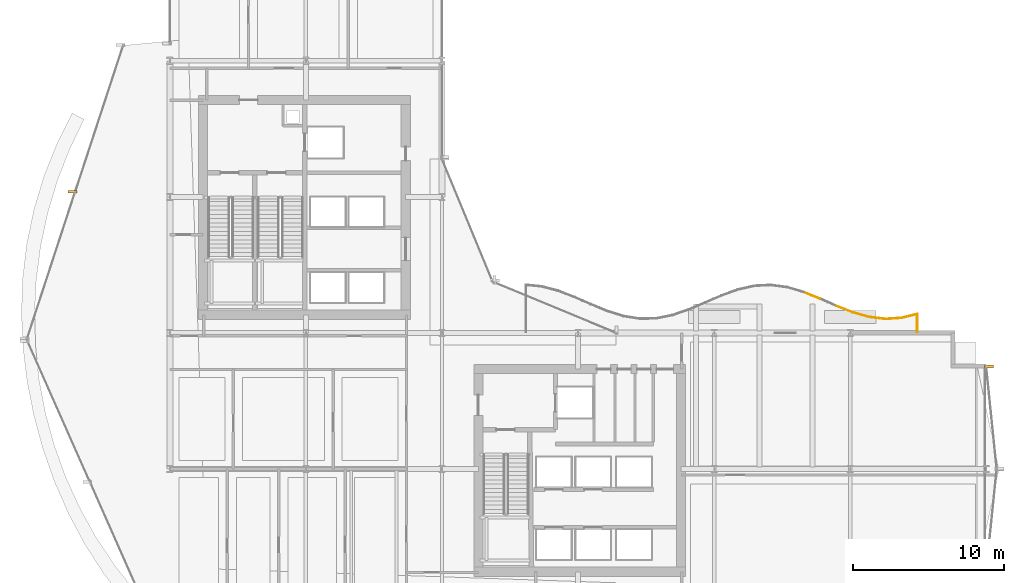
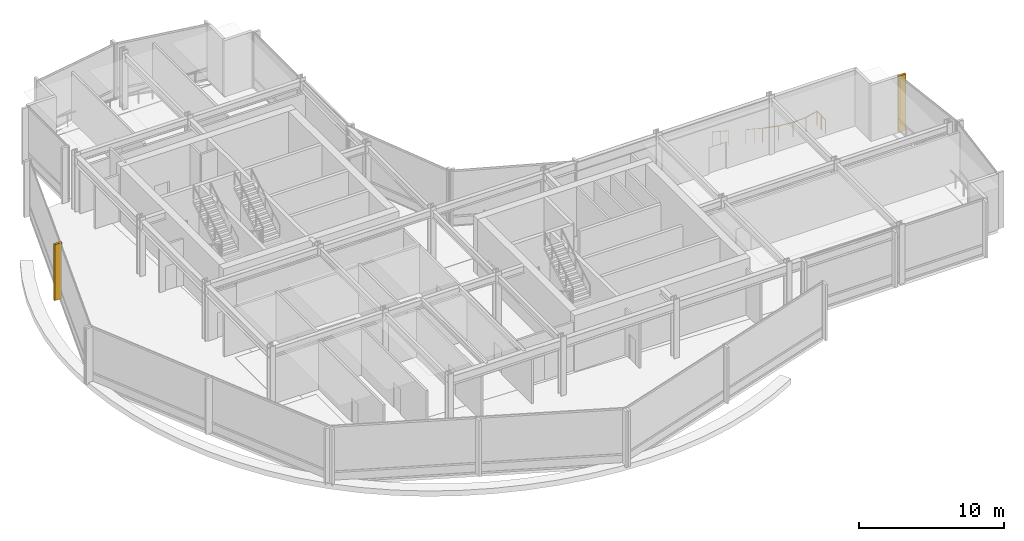
# One storey, part 36 of 39: 7 railings, 2 coverings.
"""IFC4 building model written with IfcOpenShell, lengths in metres."""

from ifc_helpers import new_model, si_unit, direction, frame, origin, origin_2d, place, context, subcontext, project, spatial, rectangle, circle, extrude, material, layer, layer_set, type_object, element, save


model = new_model("IFC4")

# Units and contexts
model_context = context("Model", 3, precision=1e-05, world=origin(), true_north=direction((0.0, 1.0)))
body_context = subcontext(model_context, "Body", "Model", "MODEL_VIEW")
ifc_project = project(units=[si_unit("LENGTHUNIT", "METRE"), si_unit("AREAUNIT", "SQUARE_METRE"), si_unit("VOLUMEUNIT", "CUBIC_METRE"), si_unit("PLANEANGLEUNIT", "RADIAN"), si_unit("MASSUNIT", "GRAM", prefix="KILO")], contexts=[model_context])

# Site, building, storey
site_placement = place(None, origin())
site = spatial("IfcSite", under=ifc_project, at=site_placement, CompositionType="ELEMENT")
building_placement = place(site_placement, origin())
building = spatial("IfcBuilding", under=site, at=building_placement, Name="Solvaryn Broadcast Tower", CompositionType="ELEMENT")
storey_placement = place(building_placement, frame((0.0, 0.0, 84.10009765625)))
storey = spatial("IfcBuildingStorey", under=building, at=storey_placement, Name="L20", CompositionType="ELEMENT", Elevation=84.10009765625)

# Coverings
ifc_material_1 = material(Name="Extruded Architectural Terracotta Fin", Category="masonry")
ifc_layer = layer(ifc_material_1, 0.179931640625)
ifc_layer_set = layer_set([ifc_layer], Name="CV-TC-FIN")
covering_type = type_object("IfcCoveringType", Name="CV-TC-FIN", PredefinedType="USERDEFINED", material=ifc_layer_set)
for number, where, z_axis, x_axis, name in (
    (1, (2.554931640625, 36.34423828125, 0.0), (0.0, 0.0, 1.0), (1.0, 0.0, 0.0), "L20 Terracotta Vertical Fin FIN-L20-DR1-M01"),
    (2, (63.190673828125, 24.770263671875, 0.0), (0.0, 0.0, 1.0), (1.0, 0.0, 0.0), "L20 Terracotta Vertical Fin FIN-L20-ET1-M00"),
):
    element("IfcCovering", number, at=place(storey_placement, frame(where, z_axis=z_axis, x_axis=x_axis)), inside=storey, type_object=covering_type, Name=name, ObjectType="FIN", PredefinedType="USERDEFINED", context=body_context, shape_type="SweptSolid", body=[
        extrude(rectangle(XDim=0.580078125, YDim=0.179931640625, at=origin_2d()), origin(), (0.0, 0.0, 1.0), 4.719970703125),
    ])

# Railings
ifc_material_2 = material(Name="Stainless Steel and Laminated Glass Guard", Category="steel")
railing_type = type_object("IfcRailingType", Name="RL-SKYG-1200", PredefinedType="BALUSTRADE", material=ifc_material_2)
railing_1_placement = place(storey_placement, frame((50.916748046875, 29.6953125, 0.0)))
element("IfcRailing", 3, at=railing_1_placement, inside=storey, type_object=railing_type, Name="L20 Terrace Guard TSSG1-19", PredefinedType="BALUSTRADE", context=body_context, shape_type="SweptSolid", body=[
    extrude(circle(Radius=0.02392578125, at=origin_2d()), frame((0.0, 0.0, 1.17578125), z_axis=(0.927739444887, -0.373228512311, 0.0), x_axis=(0.373228512311, 0.927739444887, 0.0)), (0.0, 0.0, 1.0), 1.167724609375),
    extrude(circle(Radius=0.02099609375, at=origin_2d()), origin(), (0.0, 0.0, 1.0), 1.15185546875),
    extrude(circle(Radius=0.02099609375, at=origin_2d()), frame((0.54150390625, -0.2177734375, 0.0)), (0.0, 0.0, 1.0), 1.15185546875),
    extrude(circle(Radius=0.02099609375, at=origin_2d()), frame((1.083251953125, -0.435791015625, 0.0)), (0.0, 0.0, 1.0), 1.15185546875),
])
railing_2_placement = place(storey_placement, frame((53.083251953125, 28.784423828125, 0.0)))
element("IfcRailing", 4, at=railing_2_placement, inside=storey, type_object=railing_type, Name="L20 Terrace Guard TSSG1-21", PredefinedType="BALUSTRADE", context=body_context, shape_type="SweptSolid", body=[
    extrude(circle(Radius=0.02392578125, at=origin_2d()), frame((0.0, 0.0, 1.17578125), z_axis=(0.929642243125, -0.368463430747, 0.0), x_axis=(0.368463430747, 0.929642243125, 0.0)), (0.0, 0.0, 1.0), 1.16552734375),
    extrude(circle(Radius=0.02099609375, at=origin_2d()), origin(), (0.0, 0.0, 1.0), 1.15185546875),
    extrude(circle(Radius=0.02099609375, at=origin_2d()), frame((0.541748046875, -0.21484375, 0.0)), (0.0, 0.0, 1.0), 1.15185546875),
    extrude(circle(Radius=0.02099609375, at=origin_2d()), frame((1.08349609375, -0.429443359375, 0.0)), (0.0, 0.0, 1.0), 1.15185546875),
])
railing_3_placement = place(storey_placement, frame((54.166748046875, 28.35498046875, 0.0)))
element("IfcRailing", 5, at=railing_3_placement, inside=storey, type_object=railing_type, Name="L20 Terrace Guard TSSG1-22", PredefinedType="BALUSTRADE", context=body_context, shape_type="SweptSolid", body=[
    extrude(circle(Radius=0.02392578125, at=origin_2d()), frame((0.0, 0.0, 1.17578125), z_axis=(0.962078371686, -0.272773178179, 0.0), x_axis=(0.272773178179, 0.962078371686, 0.0)), (0.0, 0.0, 1.0), 1.1259765625),
    extrude(circle(Radius=0.02099609375, at=origin_2d()), origin(), (0.0, 0.0, 1.0), 1.15185546875),
    extrude(circle(Radius=0.02099609375, at=origin_2d()), frame((1.083251953125, -0.30712890625, 0.0)), (0.0, 0.0, 1.0), 1.15185546875),
])
railing_4_placement = place(storey_placement, frame((55.25, 28.0478515625, 0.0)))
element("IfcRailing", 6, at=railing_4_placement, inside=storey, type_object=railing_type, Name="L20 Terrace Guard TSSG1-23", PredefinedType="BALUSTRADE", context=body_context, shape_type="SweptSolid", body=[
    extrude(circle(Radius=0.02392578125, at=origin_2d()), frame((0.0, 0.0, 1.17578125), z_axis=(0.992835485091, -0.119489328158, 0.0), x_axis=(0.119489328158, 0.992835485091, 0.0)), (0.0, 0.0, 1.0), 1.091064453125),
    extrude(circle(Radius=0.02099609375, at=origin_2d()), origin(), (0.0, 0.0, 1.0), 1.15185546875),
    extrude(circle(Radius=0.02099609375, at=origin_2d()), frame((1.083251953125, -0.13037109375, 0.0)), (0.0, 0.0, 1.0), 1.15185546875),
])
railing_5_placement = place(storey_placement, frame((56.333251953125, 27.91748046875, 0.0)))
element("IfcRailing", 7, at=railing_5_placement, inside=storey, type_object=railing_type, Name="L20 Terrace Guard TSSG1-24", PredefinedType="BALUSTRADE", context=body_context, shape_type="SweptSolid", body=[
    extrude(circle(Radius=0.02392578125, at=origin_2d()), frame((0.0, 0.0, 1.17578125), z_axis=(0.997944372595, 0.064086107749, 0.0), x_axis=(-0.064086107749, 0.997944372595, 0.0)), (0.0, 0.0, 1.0), 1.085693359375),
    extrude(circle(Radius=0.02099609375, at=origin_2d()), origin(), (0.0, 0.0, 1.0), 1.15185546875),
    extrude(circle(Radius=0.02099609375, at=origin_2d()), frame((1.08349609375, 0.069580078125, 0.0)), (0.0, 0.0, 1.0), 1.15185546875),
])
railing_6_placement = place(storey_placement, frame((57.416748046875, 27.987060546875, 0.0)))
element("IfcRailing", 8, at=railing_6_placement, inside=storey, type_object=railing_type, Name="L20 Terrace Guard TSSG1-25", PredefinedType="BALUSTRADE", context=body_context, shape_type="SweptSolid", body=[
    extrude(circle(Radius=0.02392578125, at=origin_2d()), frame((0.0, 0.0, 1.17578125), z_axis=(0.969801249757, 0.24389656818, 0.0), x_axis=(-0.24389656818, 0.969801249757, 0.0)), (0.0, 0.0, 1.0), 1.05517578125),
    extrude(circle(Radius=0.02099609375, at=origin_2d()), origin(), (0.0, 0.0, 1.0), 1.15185546875),
    extrude(circle(Radius=0.02099609375, at=origin_2d()), frame((1.023193359375, 0.25732421875, 0.0)), (0.0, 0.0, 1.0), 1.15185546875),
])
railing_7_placement = place(storey_placement, frame((58.43994140625, 28.244384765625, 0.0)))
element("IfcRailing", 9, at=railing_7_placement, inside=storey, type_object=railing_type, Name="L20 Terrace Guard TSSG1-26", PredefinedType="BALUSTRADE", context=body_context, shape_type="SweptSolid", body=[
    extrude(circle(Radius=0.02392578125, at=origin_2d()), frame((0.0, 0.0, 1.17578125), z_axis=(0.0, -1.0, 0.0), x_axis=(1.0, 0.0, 0.0)), (0.0, 0.0, 1.0), 1.184326171875),
    extrude(circle(Radius=0.02099609375, at=origin_2d()), origin(), (0.0, 0.0, 1.0), 1.15185546875),
    extrude(circle(Radius=0.02099609375, at=origin_2d()), frame((0.0, -0.59228515625, 0.0)), (0.0, 0.0, 1.0), 1.15185546875),
    extrude(circle(Radius=0.02099609375, at=origin_2d()), frame((0.0, -1.184326171875, 0.0)), (0.0, 0.0, 1.0), 1.15185546875),
])

save(model, "model.ifc")
